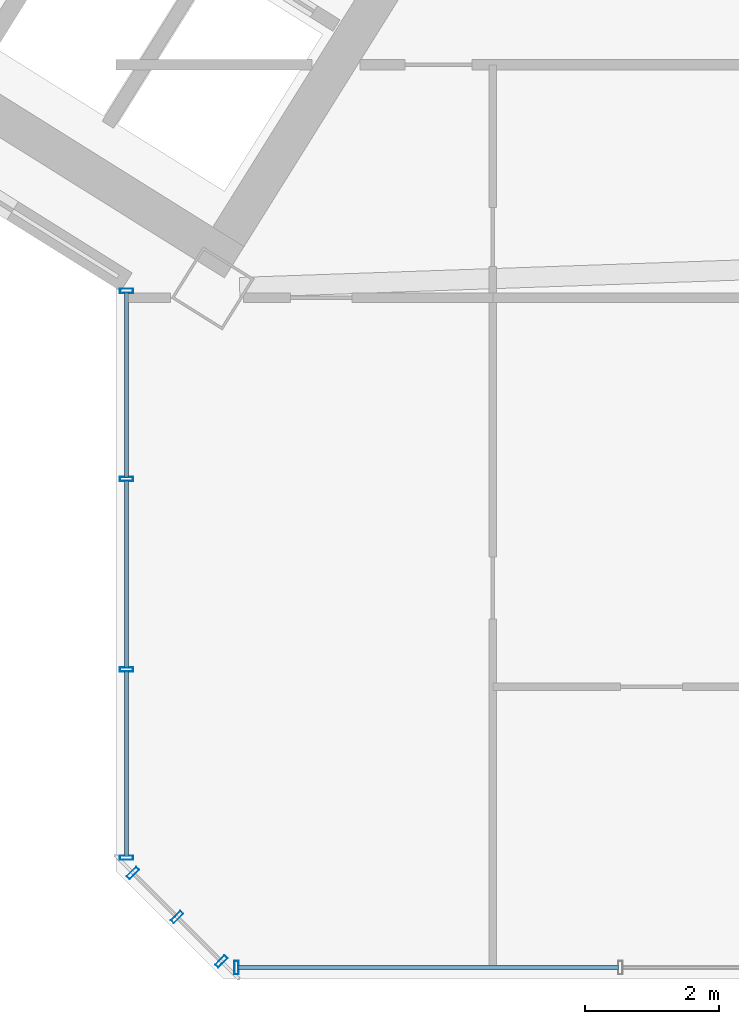
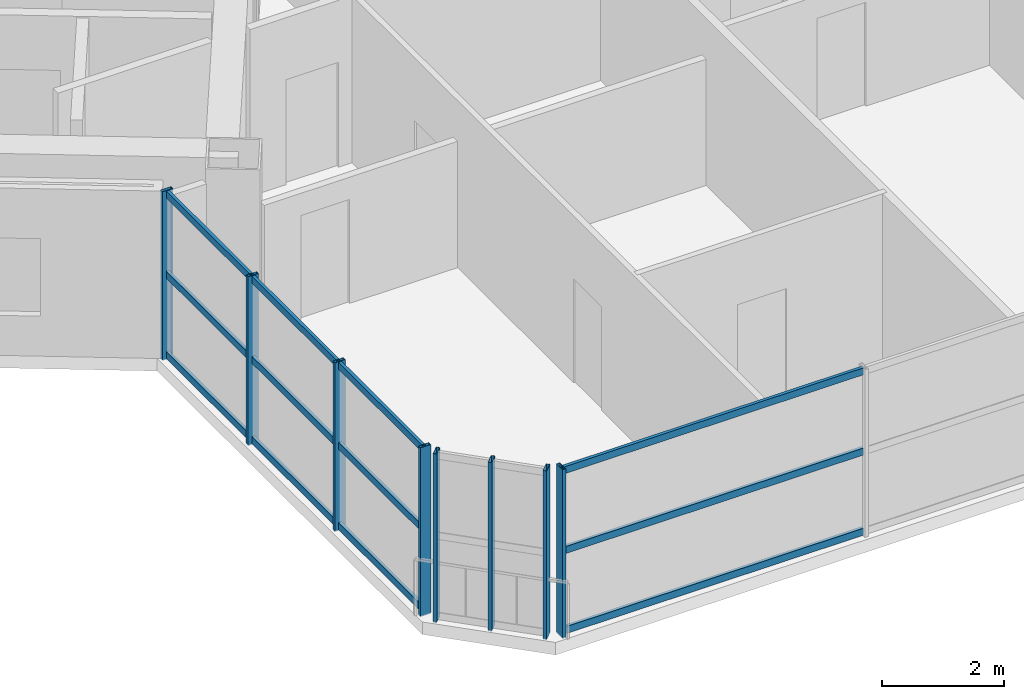
# One storey, part 4 of 21: 20 members, 3 elements without a shape of their own.
"""IFC4 building model written with IfcOpenShell, lengths in metres."""

from ifc_helpers import new_model, si_unit, direction, frame, origin, origin_2d, place, context, subcontext, project, spatial, hollow_rectangle, extrude, source, transform, mapped, material, material_profile, profile_set, type_object, element, aggregate, save


model = new_model("IFC4")

# Units and contexts
model_context = context("Model", 3, precision=1e-05, world=origin(), true_north=direction((0.0, 1.0)))
body_context = subcontext(model_context, "Body", "Model", "MODEL_VIEW")
ifc_project = project(units=[si_unit("LENGTHUNIT", "METRE"), si_unit("AREAUNIT", "SQUARE_METRE"), si_unit("VOLUMEUNIT", "CUBIC_METRE"), si_unit("PLANEANGLEUNIT", "RADIAN"), si_unit("MASSUNIT", "GRAM", prefix="KILO")], contexts=[model_context])

# Site, building, storey
site_placement = place(None, origin())
site = spatial("IfcSite", under=ifc_project, at=site_placement, CompositionType="ELEMENT")
building_placement = place(site_placement, origin())
building = spatial("IfcBuilding", under=site, at=building_placement, Name="Tlacorven Tower", CompositionType="ELEMENT")
storey_placement = place(building_placement, frame((0.0, 0.0, 119.699951171875)))
storey = spatial("IfcBuildingStorey", under=building, at=storey_placement, Name="L30", CompositionType="ELEMENT", Elevation=119.699951171875)

# Curtain wall, members
ifc_material_1 = material(Name="Dark solar low-E double glazing in aluminium frame", Category="aluminium")
curtain_wall_type = type_object("IfcCurtainWallType", Name="CW-TWR-MID", PredefinedType="USERDEFINED", material=ifc_material_1)
curtain_wall_1_placement = place(storey_placement, origin())
curtain_wall_1 = element("IfcCurtainWall", 1, at=curtain_wall_1_placement, inside=storey, type_object=curtain_wall_type, Name="L30 CW-TWR-MID Curtain Wall 148", ObjectType="UNITISED CURTAIN WALL", PredefinedType="USERDEFINED")
ifc_material_2 = material(Name="Aluminium 6063-T6 anodised", Category="aluminium")
ifc_material_profile_1 = material_profile(ifc_material_2, hollow_rectangle(XDim=0.06005859375, YDim=0.139892578125, WallThickness=0.00390625, at=origin_2d()), Name="ALU TRANSOM 60X140")
ifc_profile_set_1 = profile_set([ifc_material_profile_1], Name="Aluminium 6063-T6 anodised")
member_type_1 = type_object("IfcMemberType", Name="CWT-02", PredefinedType="USERDEFINED", material=ifc_profile_set_1)
shared_shape_1 = source(origin(), body_context, "Body", "SweptSolid", [
    extrude(hollow_rectangle(XDim=0.06005859375, YDim=0.139892578125, WallThickness=0.00390625, at=origin_2d()), origin(), (0.0, 0.0, 1.0), 5.682373046875),
])
member_1_placement = place(storey_placement, frame((39.1015625, 1.9599609375, 0.070068359375), z_axis=(-1.0, 0.0, 0.0), x_axis=(0.0, -1.0, 0.0)))
member_1 = element("IfcMember", 2, at=member_1_placement, type_object=member_type_1, Name="CW-L30-148 Transom 7", ObjectType="TRANSOM", PredefinedType="USERDEFINED", context=body_context, shape_type="MappedRepresentation", body=[
    mapped(shared_shape_1, transform((0.0, 0.0, 0.0), scale=1.0)),
])
member_2_placement = place(storey_placement, frame((39.1015625, 1.9599609375, 1.675048828125), z_axis=(-1.0, 0.0, 0.0), x_axis=(0.0, -1.0, 0.0)))
member_2 = element("IfcMember", 3, at=member_2_placement, type_object=member_type_1, Name="CW-L30-148 Transom 8", ObjectType="TRANSOM", PredefinedType="USERDEFINED", context=body_context, shape_type="MappedRepresentation", body=[
    mapped(shared_shape_1, transform((0.0, 0.0, 0.0), scale=1.0)),
])
member_3_placement = place(storey_placement, frame((39.1015625, 1.9599609375, 3.280029296875), z_axis=(-1.0, 0.0, 0.0), x_axis=(0.0, -1.0, 0.0)))
member_3 = element("IfcMember", 4, at=member_3_placement, type_object=member_type_1, Name="CW-L30-148 Transom 9", ObjectType="TRANSOM", PredefinedType="USERDEFINED", context=body_context, shape_type="MappedRepresentation", body=[
    mapped(shared_shape_1, transform((0.0, 0.0, 0.0), scale=1.0)),
])

curtain_wall_2_placement = place(storey_placement, origin())
curtain_wall_2 = element("IfcCurtainWall", 5, at=curtain_wall_2_placement, inside=storey, type_object=curtain_wall_type, Name="L30 CW-TWR-MID Curtain Wall 150", ObjectType="UNITISED CURTAIN WALL", PredefinedType="USERDEFINED")
shared_shape_2 = source(origin(), body_context, "Body", "SweptSolid", [
    extrude(hollow_rectangle(XDim=0.06005859375, YDim=0.139892578125, WallThickness=0.00390625, at=origin_2d()), origin(), (0.0, 0.0, 1.0), 2.765380859375),
])
member_4_placement = place(storey_placement, frame((31.760009765625, 3.619384765625, 0.070068359375), z_axis=(0.0, 1.0, 0.0), x_axis=(-1.0, 0.0, 0.0)))
member_4 = element("IfcMember", 6, at=member_4_placement, type_object=member_type_1, Name="CW-L30-150 Transom 1", ObjectType="TRANSOM", PredefinedType="USERDEFINED", context=body_context, shape_type="MappedRepresentation", body=[
    mapped(shared_shape_2, transform((0.0, 0.0, 0.0), scale=1.0)),
])
member_5_placement = place(storey_placement, frame((31.760009765625, 3.619384765625, 1.675048828125), z_axis=(0.0, 1.0, 0.0), x_axis=(-1.0, 0.0, 0.0)))
member_5 = element("IfcMember", 7, at=member_5_placement, type_object=member_type_1, Name="CW-L30-150 Transom 2", ObjectType="TRANSOM", PredefinedType="USERDEFINED", context=body_context, shape_type="MappedRepresentation", body=[
    mapped(shared_shape_2, transform((0.0, 0.0, 0.0), scale=1.0)),
])
member_6_placement = place(storey_placement, frame((31.760009765625, 3.619384765625, 3.280029296875), z_axis=(0.0, 1.0, 0.0), x_axis=(-1.0, 0.0, 0.0)))
member_6 = element("IfcMember", 8, at=member_6_placement, type_object=member_type_1, Name="CW-L30-150 Transom 3", ObjectType="TRANSOM", PredefinedType="USERDEFINED", context=body_context, shape_type="MappedRepresentation", body=[
    mapped(shared_shape_2, transform((0.0, 0.0, 0.0), scale=1.0)),
])
member_7_placement = place(storey_placement, frame((31.760009765625, 9.2646484375, 0.070068359375), z_axis=(0.0, 1.0, 0.0), x_axis=(-1.0, 0.0, 0.0)))
member_7 = element("IfcMember", 9, at=member_7_placement, type_object=member_type_1, Name="CW-L30-150 Transom 7", ObjectType="TRANSOM", PredefinedType="USERDEFINED", context=body_context, shape_type="MappedRepresentation", body=[
    mapped(shared_shape_2, transform((0.0, 0.0, 0.0), scale=1.0)),
])
member_8_placement = place(storey_placement, frame((31.760009765625, 9.2646484375, 1.675048828125), z_axis=(0.0, 1.0, 0.0), x_axis=(-1.0, 0.0, 0.0)))
member_8 = element("IfcMember", 10, at=member_8_placement, type_object=member_type_1, Name="CW-L30-150 Transom 8", ObjectType="TRANSOM", PredefinedType="USERDEFINED", context=body_context, shape_type="MappedRepresentation", body=[
    mapped(shared_shape_2, transform((0.0, 0.0, 0.0), scale=1.0)),
])
member_9_placement = place(storey_placement, frame((31.760009765625, 9.2646484375, 3.280029296875), z_axis=(0.0, 1.0, 0.0), x_axis=(-1.0, 0.0, 0.0)))
member_9 = element("IfcMember", 11, at=member_9_placement, type_object=member_type_1, Name="CW-L30-150 Transom 9", ObjectType="TRANSOM", PredefinedType="USERDEFINED", context=body_context, shape_type="MappedRepresentation", body=[
    mapped(shared_shape_2, transform((0.0, 0.0, 0.0), scale=1.0)),
])
shared_shape_3 = source(origin(), body_context, "Body", "SweptSolid", [
    extrude(hollow_rectangle(XDim=0.06005859375, YDim=0.139892578125, WallThickness=0.00390625, at=origin_2d()), origin(), (0.0, 0.0, 1.0), 2.7978515625),
])
member_10_placement = place(storey_placement, frame((31.760009765625, 6.42578125, 0.070068359375), z_axis=(0.0, 1.0, 0.0), x_axis=(-1.0, 0.0, 0.0)))
member_10 = element("IfcMember", 12, at=member_10_placement, type_object=member_type_1, Name="CW-L30-150 Transom 4", ObjectType="TRANSOM", PredefinedType="USERDEFINED", context=body_context, shape_type="MappedRepresentation", body=[
    mapped(shared_shape_3, transform((0.0, 0.0, 0.0), scale=1.0)),
])
member_11_placement = place(storey_placement, frame((31.760009765625, 6.42578125, 1.675048828125), z_axis=(0.0, 1.0, 0.0), x_axis=(-1.0, 0.0, 0.0)))
member_11 = element("IfcMember", 13, at=member_11_placement, type_object=member_type_1, Name="CW-L30-150 Transom 5", ObjectType="TRANSOM", PredefinedType="USERDEFINED", context=body_context, shape_type="MappedRepresentation", body=[
    mapped(shared_shape_3, transform((0.0, 0.0, 0.0), scale=1.0)),
])
member_12_placement = place(storey_placement, frame((31.760009765625, 6.42578125, 3.280029296875), z_axis=(0.0, 1.0, 0.0), x_axis=(-1.0, 0.0, 0.0)))
member_12 = element("IfcMember", 14, at=member_12_placement, type_object=member_type_1, Name="CW-L30-150 Transom 6", ObjectType="TRANSOM", PredefinedType="USERDEFINED", context=body_context, shape_type="MappedRepresentation", body=[
    mapped(shared_shape_3, transform((0.0, 0.0, 0.0), scale=1.0)),
])

# Member
ifc_material_profile_2 = material_profile(ifc_material_2, hollow_rectangle(XDim=0.06494140625, YDim=0.199951171875, WallThickness=0.00439453125, at=origin_2d()), Name="ALU MULLION 65X200")
ifc_profile_set_2 = profile_set([ifc_material_profile_2], Name="Aluminium 6063-T6 anodised")
member_type_2 = type_object("IfcMemberType", Name="CWM-02", PredefinedType="MULLION", material=ifc_profile_set_2)
shared_shape_4 = source(origin(), body_context, "Body", "SweptSolid", [
    extrude(hollow_rectangle(XDim=0.06494140625, YDim=0.199951171875, WallThickness=0.00439453125, at=origin_2d()), origin(), (0.0, 0.0, 1.0), 3.380126953125),
])
member_13_placement = place(storey_placement, frame((33.398681640625, 1.9599609375, -0.02001953125), z_axis=(0.0, 0.0, 1.0), x_axis=(-1.0, 0.0, 0.0)))
member_13 = element("IfcMember", 15, at=member_13_placement, type_object=member_type_2, Name="CW-L30-148 Mullion 4", PredefinedType="MULLION", context=body_context, shape_type="MappedRepresentation", body=[
    mapped(shared_shape_4, transform((0.0, 0.0, 0.0), scale=1.0)),
])

aggregate(curtain_wall_1, [member_13, member_1, member_2, member_3])

# Curtain wall, members
curtain_wall_3_placement = place(storey_placement, origin())
curtain_wall_3 = element("IfcCurtainWall", 16, at=curtain_wall_3_placement, inside=storey, type_object=curtain_wall_type, Name="L30 CW-TWR-MID Curtain Wall 149", ObjectType="UNITISED CURTAIN WALL", PredefinedType="USERDEFINED")
member_14_placement = place(storey_placement, frame((33.172607421875, 2.0537109375, -0.02001953125), z_axis=(0.0, 0.0, 1.0), x_axis=(-0.707106781187, 0.707106781187, 0.0)))
member_14 = element("IfcMember", 17, at=member_14_placement, type_object=member_type_2, Name="CW-L30-149 Mullion 1", PredefinedType="MULLION", context=body_context, shape_type="MappedRepresentation", body=[
    mapped(shared_shape_4, transform((0.0, 0.0, 0.0), scale=1.0)),
])
member_15_placement = place(storey_placement, frame((32.51318359375, 2.713134765625, -0.02001953125), z_axis=(0.0, 0.0, 1.0), x_axis=(-0.707106781187, 0.707106781187, 0.0)))
member_15 = element("IfcMember", 18, at=member_15_placement, type_object=member_type_2, Name="CW-L30-149 Mullion 2", PredefinedType="MULLION", context=body_context, shape_type="MappedRepresentation", body=[
    mapped(shared_shape_4, transform((0.0, 0.0, 0.0), scale=1.0)),
])
member_16_placement = place(storey_placement, frame((31.853759765625, 3.37255859375, -0.02001953125), z_axis=(0.0, 0.0, 1.0), x_axis=(-0.707106781187, 0.707106781187, 0.0)))
member_16 = element("IfcMember", 19, at=member_16_placement, type_object=member_type_2, Name="CW-L30-149 Mullion 3", PredefinedType="MULLION", context=body_context, shape_type="MappedRepresentation", body=[
    mapped(shared_shape_4, transform((0.0, 0.0, 0.0), scale=1.0)),
])
aggregate(curtain_wall_3, [member_14, member_15, member_16])

# Member
member_17_placement = place(storey_placement, frame((31.760009765625, 3.598876953125, -0.02001953125), z_axis=(0.0, 0.0, 1.0), x_axis=(0.0, 1.0, 0.0)))
member_17 = element("IfcMember", 20, at=member_17_placement, type_object=member_type_2, Name="CW-L30-150 Mullion 1", PredefinedType="MULLION", context=body_context, shape_type="MappedRepresentation", body=[
    mapped(shared_shape_4, transform((0.0, 0.0, 0.0), scale=1.0)),
])

member_18_placement = place(storey_placement, frame((31.760009765625, 6.4052734375, -0.02001953125), z_axis=(0.0, 0.0, 1.0), x_axis=(0.0, 1.0, 0.0)))
member_18 = element("IfcMember", 21, at=member_18_placement, type_object=member_type_2, Name="CW-L30-150 Mullion 2", PredefinedType="MULLION", context=body_context, shape_type="MappedRepresentation", body=[
    mapped(shared_shape_4, transform((0.0, 0.0, 0.0), scale=1.0)),
])

member_19_placement = place(storey_placement, frame((31.760009765625, 9.244140625, -0.02001953125), z_axis=(0.0, 0.0, 1.0), x_axis=(0.0, 1.0, 0.0)))
member_19 = element("IfcMember", 22, at=member_19_placement, type_object=member_type_2, Name="CW-L30-150 Mullion 3", PredefinedType="MULLION", context=body_context, shape_type="MappedRepresentation", body=[
    mapped(shared_shape_4, transform((0.0, 0.0, 0.0), scale=1.0)),
])

member_20_placement = place(storey_placement, frame((31.760009765625, 12.050537109375, -0.02001953125), z_axis=(0.0, 0.0, 1.0), x_axis=(0.0, 1.0, 0.0)))
member_20 = element("IfcMember", 23, at=member_20_placement, type_object=member_type_2, Name="CW-L30-150 Mullion 4", PredefinedType="MULLION", context=body_context, shape_type="MappedRepresentation", body=[
    mapped(shared_shape_4, transform((0.0, 0.0, 0.0), scale=1.0)),
])

aggregate(curtain_wall_2, [member_17, member_18, member_19, member_20, member_4, member_5, member_6, member_10, member_11, member_12, member_7, member_8, member_9])

save(model, "model.ifc")
